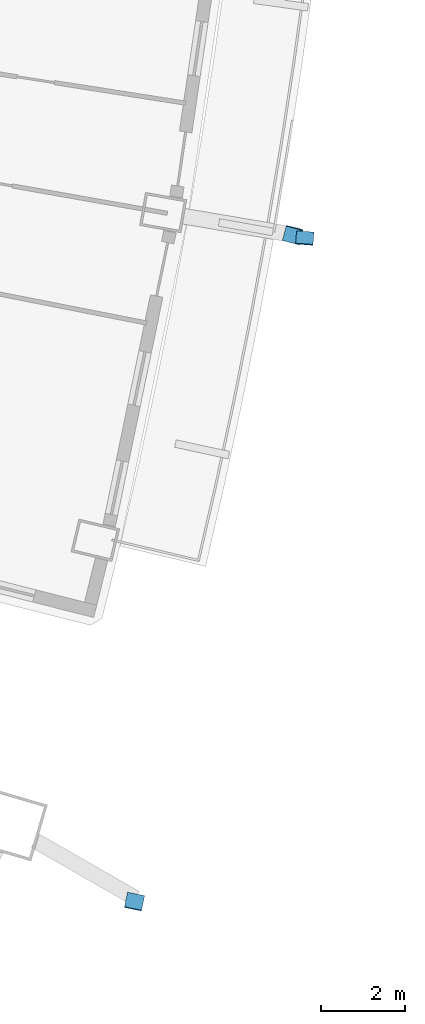
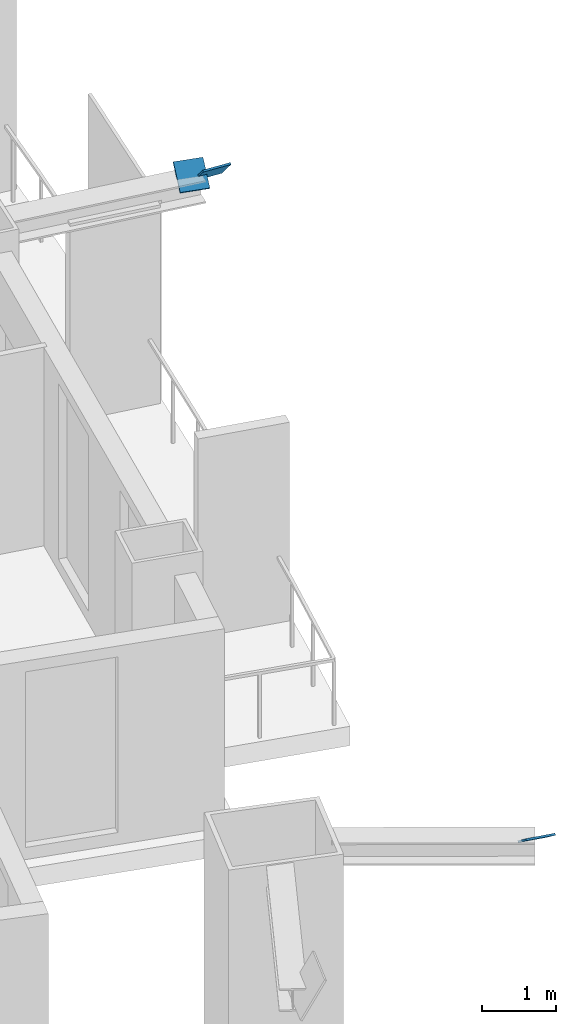
# One storey, part 16 of 20: 3 discrete accessories.
"""IFC4 building model written with IfcOpenShell, lengths in metres."""

from ifc_helpers import new_model, si_unit, direction, frame, origin, origin_2d, place, context, subcontext, project, spatial, rectangle, extrude, material, material_profile, profile_set, type_object, element, save


model = new_model("IFC4")

# Units and contexts
model_context = context("Model", 3, precision=1e-05, world=origin(), true_north=direction((0.0, 1.0)))
body_context = subcontext(model_context, "Body", "Model", "MODEL_VIEW")
ifc_project = project(units=[si_unit("LENGTHUNIT", "METRE"), si_unit("AREAUNIT", "SQUARE_METRE"), si_unit("VOLUMEUNIT", "CUBIC_METRE"), si_unit("PLANEANGLEUNIT", "RADIAN"), si_unit("MASSUNIT", "GRAM", prefix="KILO")], contexts=[model_context])

# Site, building, storey
site_placement = place(None, origin())
site = spatial("IfcSite", under=ifc_project, at=site_placement, CompositionType="ELEMENT")
building_placement = place(site_placement, origin())
building = spatial("IfcBuilding", under=site, at=building_placement, Name="Alderwake Tower", CompositionType="ELEMENT")
storey_placement = place(building_placement, frame((0.0, 0.0, 263.60009765625)))
storey = spatial("IfcBuildingStorey", under=building, at=storey_placement, Name="L65", CompositionType="ELEMENT", Elevation=263.60009765625)

# Discrete accessories
ifc_material = material(Name="Steel ASTM A572 Grade 50", Category="steel")
ifc_material_profile = material_profile(ifc_material, rectangle(XDim=0.41552734375, YDim=0.445556640625, at=origin_2d()), Name="W14X342 cap")
ifc_profile_set = profile_set([ifc_material_profile], Name="Steel ASTM A572 Grade 50")
discrete_accessory_type = type_object("IfcDiscreteAccessoryType", Name="End cap plate W14X342", PredefinedType="USERDEFINED", material=ifc_profile_set)
for number, where, z_axis, x_axis, name in (
    (1, (53.831298828125, 20.820068359375, 3.599853515625), (-0.121834506274, -0.592927930535, -0.795985440993), (0.979534918634, -0.20127429835, 0.0), "End cap BRF5.2.2A S"),
    (2, (57.598388671875, 36.67138671875, 3.599853515625), (0.154369542892, 0.584979320433, -0.796221852811), (-0.966900358349, 0.255154261231, 0.0), "End cap BRF5.2.2B1 S"),
):
    element("IfcDiscreteAccessory", number, at=place(storey_placement, frame(where, z_axis=z_axis, x_axis=x_axis)), inside=storey, type_object=discrete_accessory_type, Name=name, ObjectType="END CAP", PredefinedType="USERDEFINED", context=body_context, shape_type="SweptSolid", body=[
        extrude(rectangle(XDim=0.41552734375, YDim=0.445556640625, at=origin_2d()), origin(), (0.0, 0.0, 1.0), 0.030029296875),
    ])
discrete_accessory_placement = place(storey_placement, frame((57.885009765625, 36.62060546875, 3.599853515625), z_axis=(-0.057363561619, -0.745726301045, -0.663778355875), x_axis=(0.997054485502, -0.076696498885, 0.0)))
element("IfcDiscreteAccessory", 3, at=discrete_accessory_placement, inside=storey, type_object=discrete_accessory_type, Name="End cap BRF5.2.4A S", ObjectType="END CAP", PredefinedType="USERDEFINED", context=body_context, shape_type="SweptSolid", body=[
    extrude(rectangle(XDim=0.41552734375, YDim=0.445556640625, at=origin_2d()), origin(), (0.0, 0.0, 1.0), 0.02978515625),
])

save(model, "model.ifc")
